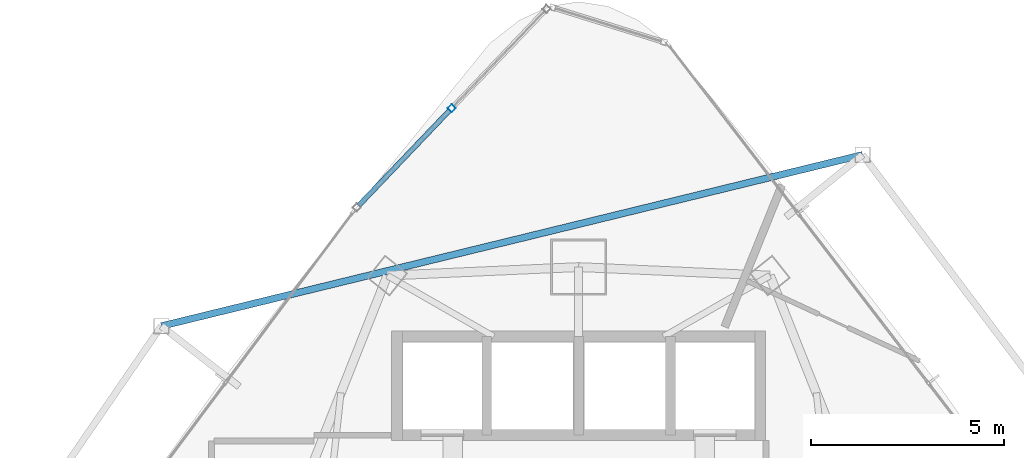
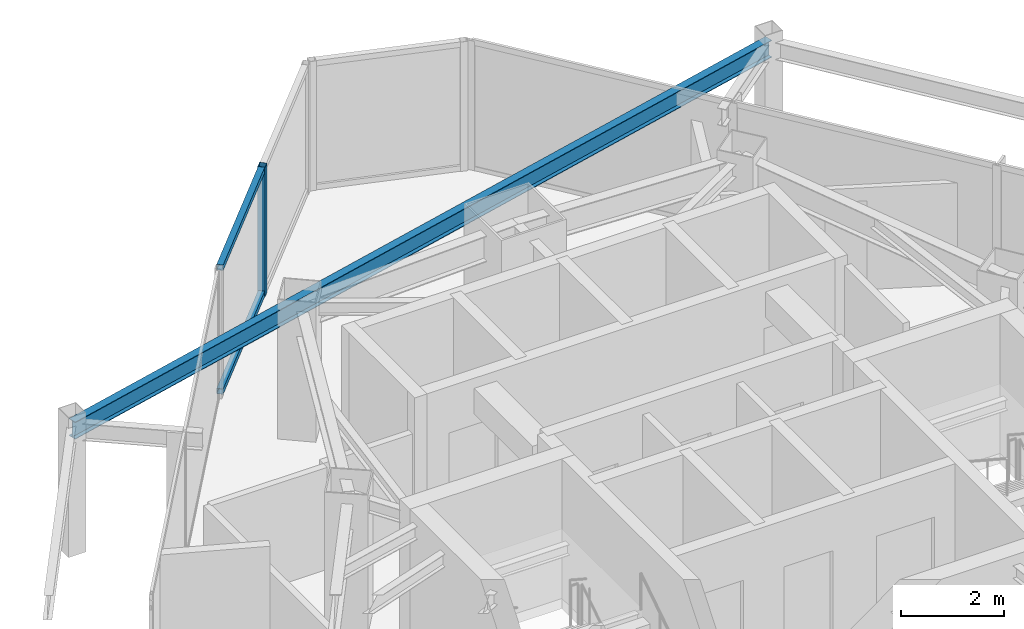
# One storey, part 23 of 31: 3 members, 1 beam, 1 element without a shape of its own.
"""IFC4 building model written with IfcOpenShell, lengths in metres."""

from ifc_helpers import new_model, si_unit, direction, frame, origin, origin_2d, place, context, subcontext, project, spatial, hollow_rectangle, i_section, extrude, material, layer, layer_set, material_profile, profile_set, type_object, element, aggregate, save


model = new_model("IFC4")

# Units and contexts
model_context = context("Model", 3, precision=1e-05, world=origin(), true_north=direction((0.0, 1.0)))
body_context = subcontext(model_context, "Body", "Model", "MODEL_VIEW")
ifc_project = project(units=[si_unit("LENGTHUNIT", "METRE"), si_unit("AREAUNIT", "SQUARE_METRE"), si_unit("VOLUMEUNIT", "CUBIC_METRE"), si_unit("PLANEANGLEUNIT", "RADIAN"), si_unit("MASSUNIT", "GRAM", prefix="KILO")], contexts=[model_context])

# Site, building, storey
site_placement = place(None, origin())
site = spatial("IfcSite", under=ifc_project, at=site_placement, CompositionType="ELEMENT")
building_placement = place(site_placement, origin())
building = spatial("IfcBuilding", under=site, at=building_placement, Name="Orvanel Arch Residences", CompositionType="ELEMENT")
storey_placement = place(building_placement, frame((0.0, 0.0, 153.949951171875)))
storey = spatial("IfcBuildingStorey", under=building, at=storey_placement, Name="L43", CompositionType="ELEMENT", Elevation=153.949951171875)

# Curtain wall, member
ifc_material_1 = material(Name="Bronze-anodised aluminium AA6063-T6", Category="aluminium")
ifc_layer = layer(ifc_material_1, 0.18994140625)
ifc_layer_set = layer_set([ifc_layer], Name="Bronze-anodised aluminium AA6063-T6")
curtain_wall_type = type_object("IfcCurtainWallType", Name="CW5-CRN-SYS", PredefinedType="NOTDEFINED", material=ifc_layer_set)
curtain_wall_placement = place(storey_placement, origin())
curtain_wall = element("IfcCurtainWall", 1, at=curtain_wall_placement, inside=storey, type_object=curtain_wall_type, Name="L43 CW5-CRN-SYS Unitised Curtain Wall", PredefinedType="NOTDEFINED")
ifc_material_profile_1 = material_profile(ifc_material_1, hollow_rectangle(XDim=0.14990234375, YDim=0.14990234375, WallThickness=0.0048828125, at=origin_2d()), Name="ALU150x150x5")
ifc_profile_set_1 = profile_set([ifc_material_profile_1], Name="Bronze-anodised aluminium AA6063-T6")
member_type_1 = type_object("IfcMemberType", Name="MUL-150x150", PredefinedType="MULLION", material=ifc_profile_set_1)
member_1_placement = place(storey_placement, frame((29.714599609375, 45.506591796875, 0.0), z_axis=(0.0, 0.0, 1.0), x_axis=(0.723045752642, -0.69080014446, 0.0)))
member_1 = element("IfcMember", 2, at=member_1_placement, type_object=member_type_1, Name="CW-S5 mullion 2", PredefinedType="MULLION", context=body_context, shape_type="SweptSolid", body=[
    extrude(hollow_rectangle(XDim=0.14990234375, YDim=0.14990234375, WallThickness=0.0048828125, at=origin_2d()), origin(), (0.0, 0.0, 1.0), 3.06005859375),
])

# Beam
ifc_material_2 = material(Name="Structural steel AS/NZS 3679.1 Grade 300 (300 MPa)", Category="steel")
ifc_material_profile_2 = material_profile(ifc_material_2, i_section(OverallWidth=0.177978515625, OverallDepth=0.406005859375, WebThickness=0.0078125, FlangeThickness=0.0126953125, at=origin_2d()), Name="410UB59.7")
ifc_profile_set_2 = profile_set([ifc_material_profile_2], Name="Structural steel AS/NZS 3679.1 Grade 300 (300 MPa)")
beam_type = type_object("IfcBeamType", Name="OB-410UB-EXT", PredefinedType="SPANDREL", material=ifc_profile_set_2)
beam_placement = place(storey_placement, frame((40.346923828125, 44.302001953125, 2.85693359375), z_axis=(-0.971457544465, -0.237213488868, 0.0), x_axis=(0.237213488868, -0.971457544465, 0.0)))
element("IfcBeam", 3, at=beam_placement, inside=storey, type_object=beam_type, Name="L43 Outer Perimeter Floor Ring Beam 12", PredefinedType="SPANDREL", context=body_context, shape_type="SweptSolid", body=[
    extrude(i_section(OverallWidth=0.177978515625, OverallDepth=0.406005859375, WebThickness=0.0078125, FlangeThickness=0.0126953125, at=origin_2d()), origin(), (0.0, 0.0, 1.0), 18.6748046875),
])

# Member
ifc_material_profile_3 = material_profile(ifc_material_1, hollow_rectangle(XDim=0.1298828125, YDim=0.1298828125, WallThickness=0.00439453125, at=origin_2d()), Name="ALU130x130x4.5")
ifc_profile_set_3 = profile_set([ifc_material_profile_3], Name="Bronze-anodised aluminium AA6063-T6")
member_type_2 = type_object("IfcMemberType", Name="TRN-130x130", PredefinedType="USERDEFINED", material=ifc_profile_set_3)
member_2_placement = place(storey_placement, frame((29.66259765625, 45.452392578125, 0.06494140625), z_axis=(-0.690782776575, -0.723062345574, 0.0), x_axis=(0.723062345574, -0.690782776575, 0.0)))
member_2 = element("IfcMember", 4, at=member_2_placement, type_object=member_type_2, Name="CW-S5 transom 2.1", ObjectType="TRANSOM", PredefinedType="USERDEFINED", context=body_context, shape_type="SweptSolid", body=[
    extrude(hollow_rectangle(XDim=0.1298828125, YDim=0.1298828125, WallThickness=0.00439453125, at=origin_2d()), origin(), (0.0, 0.0, 1.0), 3.403564453125),
])

member_3_placement = place(storey_placement, frame((29.66259765625, 45.452392578125, 2.9951171875), z_axis=(-0.690782776575, -0.723062345574, 0.0), x_axis=(0.723062345574, -0.690782776575, 0.0)))
member_3 = element("IfcMember", 5, at=member_3_placement, type_object=member_type_2, Name="CW-S5 transom 2.2", ObjectType="TRANSOM", PredefinedType="USERDEFINED", context=body_context, shape_type="SweptSolid", body=[
    extrude(hollow_rectangle(XDim=0.1298828125, YDim=0.1298828125, WallThickness=0.00439453125, at=origin_2d()), origin(), (0.0, 0.0, 1.0), 3.403564453125),
])

aggregate(curtain_wall, [member_1, member_2, member_3])

save(model, "model.ifc")
